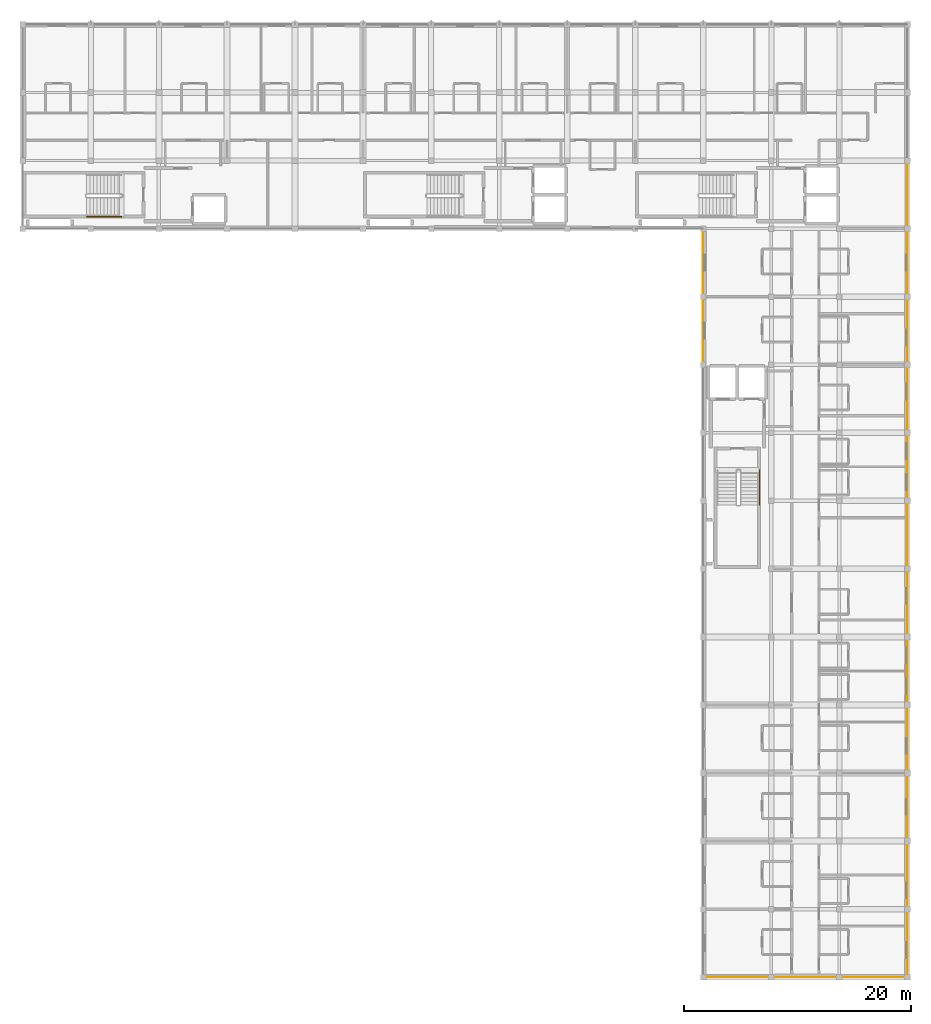
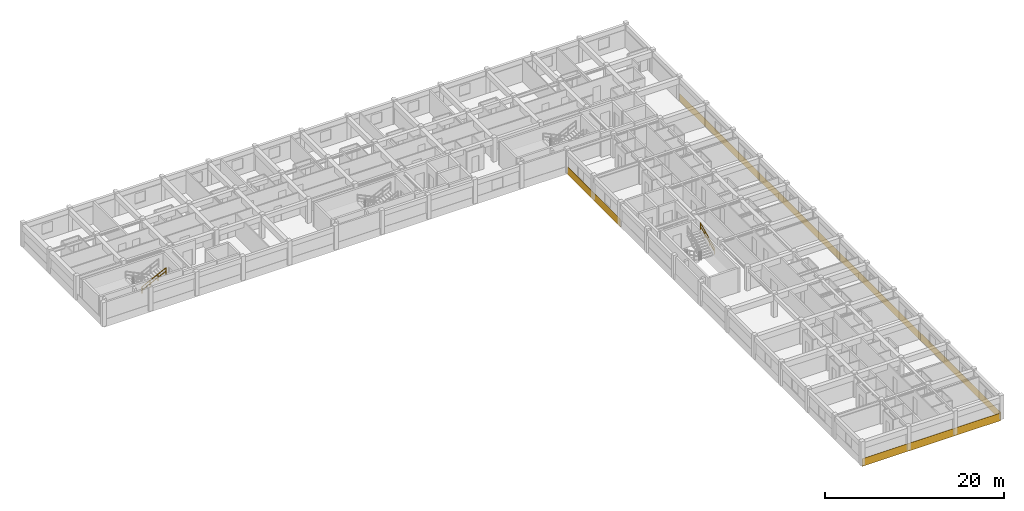
# One storey, part 13 of 15: 6 coverings, 2 railings.
"""IFC4 building model written with IfcOpenShell, lengths in metres."""

from ifc_helpers import new_model, si_unit, direction, frame, origin, origin_2d, place, context, subcontext, project, spatial, polyline, circle, outline, extrude, material, layer, layer_set, type_object, element, save


model = new_model("IFC4")

# Units and contexts
model_context = context("Model", 3, precision=1e-05, world=origin(), true_north=direction((0.0, 1.0)))
body_context = subcontext(model_context, "Body", "Model", "MODEL_VIEW")
ifc_project = project(units=[si_unit("LENGTHUNIT", "METRE"), si_unit("AREAUNIT", "SQUARE_METRE"), si_unit("VOLUMEUNIT", "CUBIC_METRE"), si_unit("PLANEANGLEUNIT", "RADIAN"), si_unit("MASSUNIT", "GRAM", prefix="KILO"), si_unit("THERMODYNAMICTEMPERATUREUNIT", "KELVIN"), si_unit("POWERUNIT", "WATT")], contexts=[model_context])

# Site, building, storey
site_placement = place(None, origin())
site = spatial("IfcSite", under=ifc_project, at=site_placement, CompositionType="ELEMENT")
building_placement = place(site_placement, origin())
building = spatial("IfcBuilding", under=site, at=building_placement, Name="Phaisarnlok Congress Hotel", CompositionType="ELEMENT")
storey_placement = place(building_placement, frame((0.0, 0.0, 41.39990234375)))
storey = spatial("IfcBuildingStorey", under=building, at=storey_placement, Name="L10", CompositionType="ELEMENT", Elevation=41.39990234375)

# Coverings
ifc_material_1 = material(Name="Anodised Silver Aluminium Alloy 6063-T6", Category="aluminium")
ifc_layer = layer(ifc_material_1, 0.031982421875, Name="Anodised Silver Aluminium Alloy 6063-T6")
ifc_layer_set = layer_set([ifc_layer], Name="Anodised Silver Aluminium Alloy 6063-T6")
covering_type = type_object("IfcCoveringType", Name="COV-SPAND-ALU", PredefinedType="CLADDING", material=ifc_layer_set)
for number, where, z_axis, x_axis, name in (
    (1, (179.9951171875, 42.06005859375, -0.27978515625), (1.0, 0.0, 0.0), (0.0, 1.0, 0.0), "Swiss minimalist anodised silver rainscreen band CL-02 (L10 E)"),
    (2, (179.9951171875, 60.06005859375, -0.27978515625), (1.0, 0.0, 0.0), (0.0, 1.0, 0.0), "Swiss minimalist anodised silver rainscreen band CL-02 (L10 E)"),
    (3, (179.9951171875, 78.06005859375, -0.27978515625), (1.0, 0.0, 0.0), (0.0, 1.0, 0.0), "Swiss minimalist anodised silver rainscreen band CL-02 (L10 E)"),
    (4, (179.9951171875, 96.06005859375, -0.27978515625), (1.0, 0.0, 0.0), (0.0, 1.0, 0.0), "Swiss minimalist anodised silver rainscreen band CL-02 (L10 E)"),
):
    element("IfcCovering", number, at=place(storey_placement, frame(where, z_axis=z_axis, x_axis=x_axis)), inside=storey, type_object=covering_type, Name=name, PredefinedType="CLADDING", context=body_context, shape_type="SweptSolid", body=[
        extrude(outline(polyline([(0.0, 0.0), (18.0, 0.0), (18.0, 1.0498046875), (0.0, 1.0498046875), (0.0, 0.0)])), origin(), (0.0, 0.0, 1.0), 0.031982421875),
    ])
covering_1_placement = place(storey_placement, frame((162.0048828125, 107.93994140625, -0.27978515625), z_axis=(-1.0, 0.0, 0.0), x_axis=(0.0, -1.0, 0.0)))
element("IfcCovering", 5, at=covering_1_placement, inside=storey, type_object=covering_type, Name="Swiss minimalist anodised silver rainscreen band CL-02 (L10 W)", PredefinedType="CLADDING", context=body_context, shape_type="SweptSolid", body=[
    extrude(outline(polyline([(0.0, 0.0), (11.8798828125, 0.0), (11.8798828125, 1.0498046875), (0.0, 1.0498046875), (0.0, 0.0)])), origin(), (0.0, 0.0, 1.0), 0.031982421875),
])
covering_2_placement = place(storey_placement, frame((162.06005859375, 42.0048828125, -0.27978515625), z_axis=(0.0, -1.0, 0.0), x_axis=(1.0, 0.0, 0.0)))
element("IfcCovering", 6, at=covering_2_placement, inside=storey, type_object=covering_type, Name="Swiss minimalist anodised silver rainscreen band CL-02 (L10 SG)", PredefinedType="CLADDING", context=body_context, shape_type="SweptSolid", body=[
    extrude(outline(polyline([(0.0, 0.0), (17.8798828125, 0.0), (17.8798828125, 1.0498046875), (0.0, 1.0498046875), (0.0, 0.0)])), origin(), (0.0, 0.0, 1.0), 0.031982421875),
])

# Railings
ifc_material_2 = material(Name="Brushed Stainless Steel Grade 304", Category="steel")
railing_type = type_object("IfcRailingType", Name="RLG-STR-HRAIL", PredefinedType="HANDRAIL", material=ifc_material_2)
railing_1_placement = place(storey_placement, frame((107.6201171875, 109.050048828125, 1.800048828125)))
element("IfcRailing", 7, at=railing_1_placement, inside=storey, type_object=railing_type, Name="L10 ST-07 stair handrail 2", PredefinedType="HANDRAIL", context=body_context, shape_type="SweptSolid", body=[
    extrude(circle(Radius=0.02392578125, at=origin_2d()), frame((0.0, 0.0, 0.8759765625), z_axis=(0.900151181449, 0.0, 0.435577605641), x_axis=(0.0, 1.0, 0.0)), (0.0, 0.0, 1.0), 3.443603515625),
    extrude(circle(Radius=0.02392578125, at=origin_2d()), frame((0.0, 0.0, 0.42578125), z_axis=(0.900151181449, 0.0, 0.435577605641), x_axis=(0.0, 1.0, 0.0)), (0.0, 0.0, 1.0), 3.443603515625),
    extrude(circle(Radius=0.02099609375, at=origin_2d()), origin(), (0.0, 0.0, 1.0), 0.851806640625),
    extrude(circle(Radius=0.02099609375, at=origin_2d()), frame((1.033203125, 0.0, 0.5)), (0.0, 0.0, 1.0), 0.851806640625),
    extrude(circle(Radius=0.02099609375, at=origin_2d()), frame((2.066650390625, 0.0, 1.0)), (0.0, 0.0, 1.0), 0.851806640625),
    extrude(circle(Radius=0.02099609375, at=origin_2d()), frame((3.099853515625, 0.0, 1.5)), (0.0, 0.0, 1.0), 0.851806640625),
])
railing_2_placement = place(storey_placement, frame((166.949951171875, 83.6201171875, 1.800048828125)))
element("IfcRailing", 8, at=railing_2_placement, inside=storey, type_object=railing_type, Name="L10 ST-09 stair handrail 2", PredefinedType="HANDRAIL", context=body_context, shape_type="SweptSolid", body=[
    extrude(circle(Radius=0.02392578125, at=origin_2d()), frame((0.0, 0.0, 0.8759765625), z_axis=(0.0, 0.900151181449, 0.435577605641), x_axis=(-1.0, 0.0, 0.0)), (0.0, 0.0, 1.0), 3.443603515625),
    extrude(circle(Radius=0.02392578125, at=origin_2d()), frame((0.0, 0.0, 0.42578125), z_axis=(0.0, 0.900151181449, 0.435577605641), x_axis=(-1.0, 0.0, 0.0)), (0.0, 0.0, 1.0), 3.443603515625),
    extrude(circle(Radius=0.02099609375, at=origin_2d()), origin(), (0.0, 0.0, 1.0), 0.851806640625),
    extrude(circle(Radius=0.02099609375, at=origin_2d()), frame((0.0, 1.033203125, 0.5)), (0.0, 0.0, 1.0), 0.851806640625),
    extrude(circle(Radius=0.02099609375, at=origin_2d()), frame((0.0, 2.066650390625, 1.0)), (0.0, 0.0, 1.0), 0.851806640625),
    extrude(circle(Radius=0.02099609375, at=origin_2d()), frame((0.0, 3.099853515625, 1.5)), (0.0, 0.0, 1.0), 0.851806640625),
])

save(model, "model.ifc")
